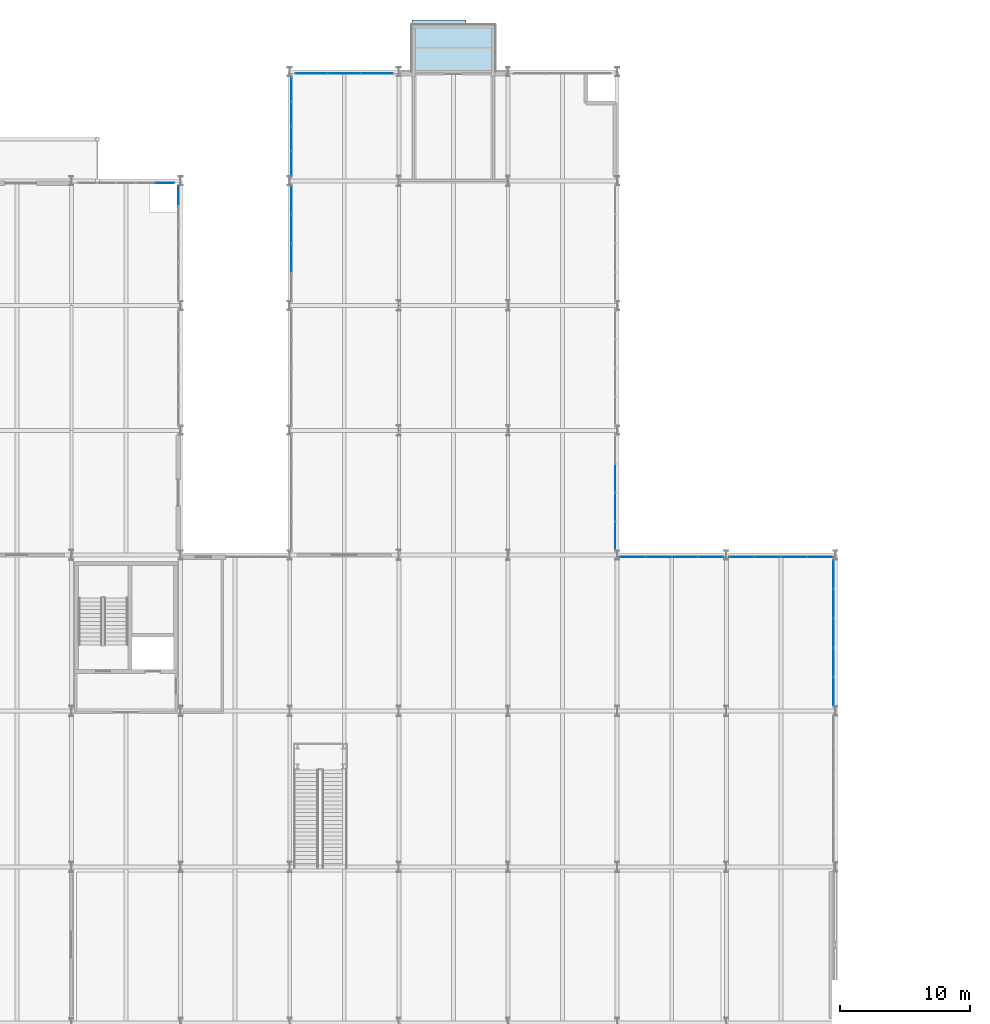
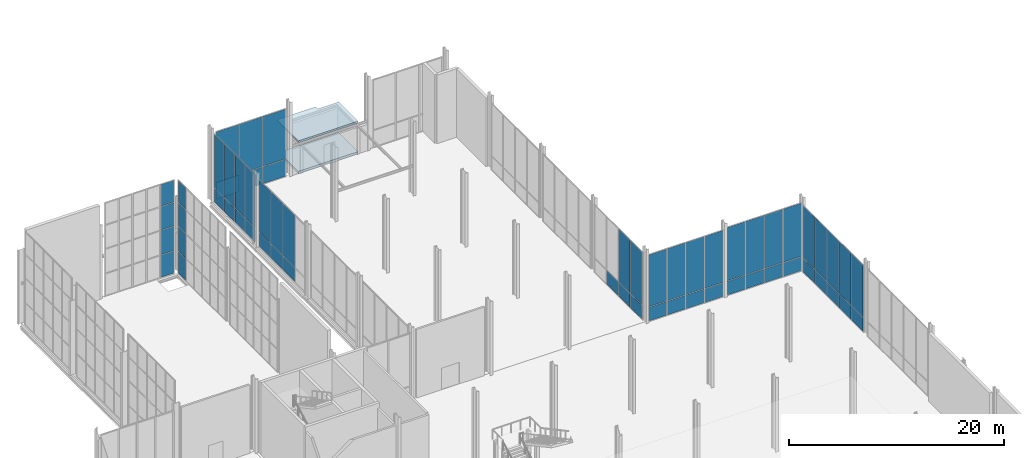
# One storey, part 105 of 131: 59 plates, 2 slabs, 9 elements without a shape of their own.
"""IFC4 building model written with IfcOpenShell, lengths in metres."""

from ifc_helpers import new_model, si_unit, direction, frame, origin, origin_2d, place, context, subcontext, project, spatial, polyline, rectangle, outline, extrude, material, layer, layer_set, type_object, element, aggregate, save


model = new_model("IFC4")

# Units and contexts
model_context = context("Model", 3, precision=1e-05, world=origin(), true_north=direction((0.0, 1.0)))
body_context = subcontext(model_context, "Body", "Model", "MODEL_VIEW")
ifc_project = project(units=[si_unit("LENGTHUNIT", "METRE"), si_unit("AREAUNIT", "SQUARE_METRE"), si_unit("VOLUMEUNIT", "CUBIC_METRE"), si_unit("PLANEANGLEUNIT", "RADIAN"), si_unit("MASSUNIT", "GRAM", prefix="KILO")], contexts=[model_context])

# Site, building, storey
site_placement = place(None, origin())
site = spatial("IfcSite", under=ifc_project, at=site_placement, CompositionType="ELEMENT")
building_placement = place(site_placement, origin())
building = spatial("IfcBuilding", under=site, at=building_placement, Name="Veltarok Museum of Natural Sciences", CompositionType="ELEMENT")
storey_placement = place(building_placement, origin())
storey = spatial("IfcBuildingStorey", under=building, at=storey_placement, Name="L00", CompositionType="ELEMENT", Elevation=0.0)

# Slabs
ifc_material_1 = material(Name="Concrete C35/45", Category="concrete")
ifc_layer_1 = layer(ifc_material_1, 0.199951171875)
ifc_layer_set_1 = layer_set([ifc_layer_1], Name="Concrete C35/45")
slab_type_1 = type_object("IfcSlabType", Name="Cantilevered Cabinet Box Roof Slab 200", PredefinedType="ROOF", material=ifc_layer_set_1)
slab_1_placement = place(storey_placement, frame((0.0, 0.0, 3.25)))
element("IfcSlab", 1, at=slab_1_placement, inside=storey, type_object=slab_type_1, Name="Cabinet Box Roof Slab DB-34", PredefinedType="ROOF", context=body_context, shape_type="SweptSolid", body=[
    extrude(outline(polyline([(66.199951171875, 109.199951171875), (72.60009765625, 109.199951171875), (72.60009765625, 112.800048828125), (70.360107421875, 112.800048828125), (70.360107421875, 113.179931640625), (66.199951171875, 113.179931640625), (66.199951171875, 109.199951171875)])), origin(), (0.0, 0.0, 1.0), 0.199951171875),
])
ifc_layer_2 = layer(ifc_material_1, 0.300048828125)
ifc_layer_set_2 = layer_set([ifc_layer_2], Name="Concrete C35/45")
slab_type_2 = type_object("IfcSlabType", Name="Ground Level Heavy Composite Slab 300", PredefinedType="FLOOR", material=ifc_layer_set_2)
slab_2_placement = place(storey_placement, frame((0.0, 0.0, -0.300048828125)))
element("IfcSlab", 2, at=slab_2_placement, inside=storey, type_object=slab_type_2, Name="Cabinet Box Floor Slab DB-34", PredefinedType="FLOOR", context=body_context, shape_type="SweptSolid", body=[
    extrude(outline(polyline([(66.199951171875, 109.199951171875), (72.60009765625, 109.199951171875), (72.60009765625, 112.800048828125), (66.199951171875, 112.800048828125), (66.199951171875, 109.199951171875)])), origin(), (0.0, 0.0, 1.0), 0.300048828125),
])

# Curtain wall, plates
ifc_material_2 = material(Name="Low-iron triple insulated glass", Category="glass")
curtain_wall_type_1 = type_object("IfcCurtainWallType", Name="Curtain Wall System CW-PAS-N01-750x1065 (North Cafe Curtain Wall L00 750x1065cm)", PredefinedType="NOTDEFINED", material=ifc_material_2)
curtain_wall_1_placement = place(storey_placement, origin())
curtain_wall_1 = element("IfcCurtainWall", 3, at=curtain_wall_1_placement, inside=storey, type_object=curtain_wall_type_1, Name="Curtain Wall CW-PAS-N01-750x1065 CW-0020", PredefinedType="NOTDEFINED")
ifc_layer_3 = layer(ifc_material_2, 0.028076171875)
ifc_layer_set_3 = layer_set([ifc_layer_3], Name="Low-iron triple insulated glass")
plate_type = type_object("IfcPlateType", Name="Triple Low-Iron Glazed Vision Panel 28", PredefinedType="CURTAIN_PANEL", material=ifc_layer_set_3)
plate_1_placement = place(storey_placement, frame((47.18505859375, 100.64990234375, 0.06005859375), z_axis=(0.0, 0.0, 1.0), x_axis=(-1.0, 0.0, 0.0)))
plate_1 = element("IfcPlate", 4, at=plate_1_placement, type_object=plate_type, Name="CW-PAS-N01-750x1065 panel 1.1", PredefinedType="CURTAIN_PANEL", context=body_context, shape_type="SweptSolid", body=[
    extrude(rectangle(XDim=1.409912109375, YDim=0.028076171875, at=origin_2d()), origin(), (0.0, 0.0, 1.0), 2.510009765625),
])
plate_2_placement = place(storey_placement, frame((47.18505859375, 100.64990234375, 2.6298828125), z_axis=(0.0, 0.0, 1.0), x_axis=(-1.0, 0.0, 0.0)))
plate_2 = element("IfcPlate", 5, at=plate_2_placement, type_object=plate_type, Name="CW-PAS-N01-750x1065 panel 1.2", PredefinedType="CURTAIN_PANEL", context=body_context, shape_type="SweptSolid", body=[
    extrude(rectangle(XDim=1.409912109375, YDim=0.028076171875, at=origin_2d()), origin(), (0.0, 0.0, 1.0), 2.739990234375),
])
plate_3_placement = place(storey_placement, frame((47.18505859375, 100.64990234375, 5.43017578125), z_axis=(0.0, 0.0, 1.0), x_axis=(-1.0, 0.0, 0.0)))
plate_3 = element("IfcPlate", 6, at=plate_3_placement, type_object=plate_type, Name="CW-PAS-N01-750x1065 panel 1.3", PredefinedType="CURTAIN_PANEL", context=body_context, shape_type="SweptSolid", body=[
    extrude(rectangle(XDim=1.409912109375, YDim=0.028076171875, at=origin_2d()), origin(), (0.0, 0.0, 1.0), 2.639892578125),
])
plate_4_placement = place(storey_placement, frame((47.18505859375, 100.64990234375, 8.130126953125), z_axis=(0.0, 0.0, 1.0), x_axis=(-1.0, 0.0, 0.0)))
plate_4 = element("IfcPlate", 7, at=plate_4_placement, type_object=plate_type, Name="CW-PAS-N01-750x1065 panel 1.4", PredefinedType="CURTAIN_PANEL", context=body_context, shape_type="SweptSolid", body=[
    extrude(rectangle(XDim=1.409912109375, YDim=0.028076171875, at=origin_2d()), origin(), (0.0, 0.0, 1.0), 2.4599609375),
])
aggregate(curtain_wall_1, [plate_1, plate_2, plate_3, plate_4])

curtain_wall_type_2 = type_object("IfcCurtainWallType", Name="Curtain Wall System CW-PAS-NE-KL-890x1065 (Sculpture Court East Passage K-L 890x1065cm)", PredefinedType="NOTDEFINED", material=ifc_material_2)
curtain_wall_2_placement = place(storey_placement, origin())
curtain_wall_2 = element("IfcCurtainWall", 8, at=curtain_wall_2_placement, inside=storey, type_object=curtain_wall_type_2, Name="Curtain Wall CW-PAS-NE-KL-890x1065 CW-0048", PredefinedType="NOTDEFINED")
plate_5_placement = place(storey_placement, frame((48.25, 99.693359375, 0.06005859375), z_axis=(0.0, 0.0, 1.0), x_axis=(0.0, 1.0, 0.0)))
plate_5 = element("IfcPlate", 9, at=plate_5_placement, type_object=plate_type, Name="CW-PAS-NE-KL-890x1065 panel 6.1", PredefinedType="CURTAIN_PANEL", context=body_context, shape_type="SweptSolid", body=[
    extrude(rectangle(XDim=1.393310546875, YDim=0.028076171875, at=origin_2d()), origin(), (0.0, 0.0, 1.0), 2.510009765625),
])
plate_6_placement = place(storey_placement, frame((48.25, 99.693359375, 2.6298828125), z_axis=(0.0, 0.0, 1.0), x_axis=(0.0, 1.0, 0.0)))
plate_6 = element("IfcPlate", 10, at=plate_6_placement, type_object=plate_type, Name="CW-PAS-NE-KL-890x1065 panel 6.2", PredefinedType="CURTAIN_PANEL", context=body_context, shape_type="SweptSolid", body=[
    extrude(rectangle(XDim=1.393310546875, YDim=0.028076171875, at=origin_2d()), origin(), (0.0, 0.0, 1.0), 2.739990234375),
])
plate_7_placement = place(storey_placement, frame((48.25, 99.693359375, 5.43017578125), z_axis=(0.0, 0.0, 1.0), x_axis=(0.0, 1.0, 0.0)))
plate_7 = element("IfcPlate", 11, at=plate_7_placement, type_object=plate_type, Name="CW-PAS-NE-KL-890x1065 panel 6.3", PredefinedType="CURTAIN_PANEL", context=body_context, shape_type="SweptSolid", body=[
    extrude(rectangle(XDim=1.393310546875, YDim=0.028076171875, at=origin_2d()), origin(), (0.0, 0.0, 1.0), 2.639892578125),
])
plate_8_placement = place(storey_placement, frame((48.25, 99.693359375, 8.130126953125), z_axis=(0.0, 0.0, 1.0), x_axis=(0.0, 1.0, 0.0)))
plate_8 = element("IfcPlate", 12, at=plate_8_placement, type_object=plate_type, Name="CW-PAS-NE-KL-890x1065 panel 6.4", PredefinedType="CURTAIN_PANEL", context=body_context, shape_type="SweptSolid", body=[
    extrude(rectangle(XDim=1.393310546875, YDim=0.028076171875, at=origin_2d()), origin(), (0.0, 0.0, 1.0), 2.4599609375),
])
aggregate(curtain_wall_2, [plate_5, plate_6, plate_7, plate_8])

curtain_wall_type_3 = type_object("IfcCurtainWallType", Name="Curtain Wall System CW-V2NP-L00-7-756x775 (North Pavilion L00 7-8 756x775cm)", PredefinedType="NOTDEFINED", material=ifc_material_2)
curtain_wall_3_placement = place(storey_placement, origin())
curtain_wall_3 = element("IfcCurtainWall", 13, at=curtain_wall_3_placement, inside=storey, type_object=curtain_wall_type_3, Name="Curtain Wall CW-V2NP-L00-7-756x775 CW-0067", PredefinedType="NOTDEFINED")
plate_9_placement = place(storey_placement, frame((63.5048828125, 109.050048828125, 0.06005859375), z_axis=(0.0, 0.0, 1.0), x_axis=(-1.0, 0.0, 0.0)))
plate_9 = element("IfcPlate", 14, at=plate_9_placement, type_object=plate_type, Name="CW-V2NP-L00-7-756x775 panel 1.1", PredefinedType="CURTAIN_PANEL", context=body_context, shape_type="SweptSolid", body=[
    extrude(rectangle(XDim=2.429931640625, YDim=0.028076171875, at=origin_2d()), origin(), (0.0, 0.0, 1.0), 1.909912109375),
])
plate_10_placement = place(storey_placement, frame((63.5048828125, 109.050048828125, 2.0302734375), z_axis=(0.0, 0.0, 1.0), x_axis=(-1.0, 0.0, 0.0)))
plate_10 = element("IfcPlate", 15, at=plate_10_placement, type_object=plate_type, Name="CW-V2NP-L00-7-756x775 panel 1.2", PredefinedType="CURTAIN_PANEL", context=body_context, shape_type="SweptSolid", body=[
    extrude(rectangle(XDim=2.429931640625, YDim=0.028076171875, at=origin_2d()), origin(), (0.0, 0.0, 1.0), 5.659912109375),
])
plate_11_placement = place(storey_placement, frame((61.0, 109.050048828125, 0.06005859375), z_axis=(0.0, 0.0, 1.0), x_axis=(-1.0, 0.0, 0.0)))
plate_11 = element("IfcPlate", 16, at=plate_11_placement, type_object=plate_type, Name="CW-V2NP-L00-7-756x775 panel 2.1", PredefinedType="CURTAIN_PANEL", context=body_context, shape_type="SweptSolid", body=[
    extrude(rectangle(XDim=2.4599609375, YDim=0.028076171875, at=origin_2d()), origin(), (0.0, 0.0, 1.0), 1.909912109375),
])
plate_12_placement = place(storey_placement, frame((61.0, 109.050048828125, 2.0302734375), z_axis=(0.0, 0.0, 1.0), x_axis=(-1.0, 0.0, 0.0)))
plate_12 = element("IfcPlate", 17, at=plate_12_placement, type_object=plate_type, Name="CW-V2NP-L00-7-756x775 panel 2.2", PredefinedType="CURTAIN_PANEL", context=body_context, shape_type="SweptSolid", body=[
    extrude(rectangle(XDim=2.4599609375, YDim=0.028076171875, at=origin_2d()), origin(), (0.0, 0.0, 1.0), 5.659912109375),
])
plate_13_placement = place(storey_placement, frame((58.4951171875, 109.050048828125, 0.06005859375), z_axis=(0.0, 0.0, 1.0), x_axis=(-1.0, 0.0, 0.0)))
plate_13 = element("IfcPlate", 18, at=plate_13_placement, type_object=plate_type, Name="CW-V2NP-L00-7-756x775 panel 3.1", PredefinedType="CURTAIN_PANEL", context=body_context, shape_type="SweptSolid", body=[
    extrude(rectangle(XDim=2.429931640625, YDim=0.028076171875, at=origin_2d()), origin(), (0.0, 0.0, 1.0), 1.909912109375),
])
plate_14_placement = place(storey_placement, frame((58.4951171875, 109.050048828125, 2.0302734375), z_axis=(0.0, 0.0, 1.0), x_axis=(-1.0, 0.0, 0.0)))
plate_14 = element("IfcPlate", 19, at=plate_14_placement, type_object=plate_type, Name="CW-V2NP-L00-7-756x775 panel 3.2", PredefinedType="CURTAIN_PANEL", context=body_context, shape_type="SweptSolid", body=[
    extrude(rectangle(XDim=2.429931640625, YDim=0.028076171875, at=origin_2d()), origin(), (0.0, 0.0, 1.0), 5.659912109375),
])
aggregate(curtain_wall_3, [plate_9, plate_10, plate_11, plate_12, plate_13, plate_14])

curtain_wall_type_4 = type_object("IfcCurtainWallType", Name="Curtain Wall System CW-V2E-L00-3-1130x763 (CW-V2E L00 1130x763cm)", PredefinedType="NOTDEFINED", material=ifc_material_2)
curtain_wall_4_placement = place(storey_placement, origin())
curtain_wall_4 = element("IfcCurtainWall", 20, at=curtain_wall_4_placement, inside=storey, type_object=curtain_wall_type_4, Name="Curtain Wall CW-V2E-L00-3-1130x763 CW-0127", PredefinedType="NOTDEFINED")
plate_15_placement = place(storey_placement, frame((98.64990234375, 61.4951171875, 0.057861328125), z_axis=(0.0, 0.0, 1.0), x_axis=(0.0, 1.0, 0.0)))
plate_15 = element("IfcPlate", 21, at=plate_15_placement, type_object=plate_type, Name="CW-V2E-L00-3-1130x763 panel 1.1", PredefinedType="CURTAIN_PANEL", context=body_context, shape_type="SweptSolid", body=[
    extrude(rectangle(XDim=2.169921875, YDim=0.028076171875, at=origin_2d()), origin(), (0.0, 0.0, 1.0), 1.56005859375),
])
plate_16_placement = place(storey_placement, frame((98.64990234375, 61.4951171875, 1.677978515625), z_axis=(0.0, 0.0, 1.0), x_axis=(0.0, 1.0, 0.0)))
plate_16 = element("IfcPlate", 22, at=plate_16_placement, type_object=plate_type, Name="CW-V2E-L00-3-1130x763 panel 1.2", PredefinedType="CURTAIN_PANEL", context=body_context, shape_type="SweptSolid", body=[
    extrude(rectangle(XDim=2.169921875, YDim=0.028076171875, at=origin_2d()), origin(), (0.0, 0.0, 1.0), 5.89208984375),
])
plate_17_placement = place(storey_placement, frame((98.64990234375, 63.739990234375, 0.057861328125), z_axis=(0.0, 0.0, 1.0), x_axis=(0.0, 1.0, 0.0)))
plate_17 = element("IfcPlate", 23, at=plate_17_placement, type_object=plate_type, Name="CW-V2E-L00-3-1130x763 panel 2.1", PredefinedType="CURTAIN_PANEL", context=body_context, shape_type="SweptSolid", body=[
    extrude(rectangle(XDim=2.199951171875, YDim=0.028076171875, at=origin_2d()), origin(), (0.0, 0.0, 1.0), 1.56005859375),
])
plate_18_placement = place(storey_placement, frame((98.64990234375, 63.739990234375, 1.677978515625), z_axis=(0.0, 0.0, 1.0), x_axis=(0.0, 1.0, 0.0)))
plate_18 = element("IfcPlate", 24, at=plate_18_placement, type_object=plate_type, Name="CW-V2E-L00-3-1130x763 panel 2.2", PredefinedType="CURTAIN_PANEL", context=body_context, shape_type="SweptSolid", body=[
    extrude(rectangle(XDim=2.199951171875, YDim=0.028076171875, at=origin_2d()), origin(), (0.0, 0.0, 1.0), 5.89208984375),
])
plate_19_placement = place(storey_placement, frame((98.64990234375, 66.0, 0.057861328125), z_axis=(0.0, 0.0, 1.0), x_axis=(0.0, 1.0, 0.0)))
plate_19 = element("IfcPlate", 25, at=plate_19_placement, type_object=plate_type, Name="CW-V2E-L00-3-1130x763 panel 3.1", PredefinedType="CURTAIN_PANEL", context=body_context, shape_type="SweptSolid", body=[
    extrude(rectangle(XDim=2.199951171875, YDim=0.028076171875, at=origin_2d()), origin(), (0.0, 0.0, 1.0), 1.56005859375),
])
plate_20_placement = place(storey_placement, frame((98.64990234375, 66.0, 1.677978515625), z_axis=(0.0, 0.0, 1.0), x_axis=(0.0, 1.0, 0.0)))
plate_20 = element("IfcPlate", 26, at=plate_20_placement, type_object=plate_type, Name="CW-V2E-L00-3-1130x763 panel 3.2", PredefinedType="CURTAIN_PANEL", context=body_context, shape_type="SweptSolid", body=[
    extrude(rectangle(XDim=2.199951171875, YDim=0.028076171875, at=origin_2d()), origin(), (0.0, 0.0, 1.0), 5.89208984375),
])
plate_21_placement = place(storey_placement, frame((98.64990234375, 68.260009765625, 0.057861328125), z_axis=(0.0, 0.0, 1.0), x_axis=(0.0, 1.0, 0.0)))
plate_21 = element("IfcPlate", 27, at=plate_21_placement, type_object=plate_type, Name="CW-V2E-L00-3-1130x763 panel 4.1", PredefinedType="CURTAIN_PANEL", context=body_context, shape_type="SweptSolid", body=[
    extrude(rectangle(XDim=2.199951171875, YDim=0.028076171875, at=origin_2d()), origin(), (0.0, 0.0, 1.0), 1.56005859375),
])
plate_22_placement = place(storey_placement, frame((98.64990234375, 68.260009765625, 1.677978515625), z_axis=(0.0, 0.0, 1.0), x_axis=(0.0, 1.0, 0.0)))
plate_22 = element("IfcPlate", 28, at=plate_22_placement, type_object=plate_type, Name="CW-V2E-L00-3-1130x763 panel 4.2", PredefinedType="CURTAIN_PANEL", context=body_context, shape_type="SweptSolid", body=[
    extrude(rectangle(XDim=2.199951171875, YDim=0.028076171875, at=origin_2d()), origin(), (0.0, 0.0, 1.0), 5.89208984375),
])
plate_23_placement = place(storey_placement, frame((98.64990234375, 70.5048828125, 0.057861328125), z_axis=(0.0, 0.0, 1.0), x_axis=(0.0, 1.0, 0.0)))
plate_23 = element("IfcPlate", 29, at=plate_23_placement, type_object=plate_type, Name="CW-V2E-L00-3-1130x763 panel 5.1", PredefinedType="CURTAIN_PANEL", context=body_context, shape_type="SweptSolid", body=[
    extrude(rectangle(XDim=2.169921875, YDim=0.028076171875, at=origin_2d()), origin(), (0.0, 0.0, 1.0), 1.56005859375),
])
plate_24_placement = place(storey_placement, frame((98.64990234375, 70.5048828125, 1.677978515625), z_axis=(0.0, 0.0, 1.0), x_axis=(0.0, 1.0, 0.0)))
plate_24 = element("IfcPlate", 30, at=plate_24_placement, type_object=plate_type, Name="CW-V2E-L00-3-1130x763 panel 5.2", PredefinedType="CURTAIN_PANEL", context=body_context, shape_type="SweptSolid", body=[
    extrude(rectangle(XDim=2.169921875, YDim=0.028076171875, at=origin_2d()), origin(), (0.0, 0.0, 1.0), 5.89208984375),
])
aggregate(curtain_wall_4, [plate_15, plate_16, plate_17, plate_18, plate_19, plate_20, plate_21, plate_22, plate_23, plate_24])

curtain_wall_type_5 = type_object("IfcCurtainWallType", Name="Curtain Wall System CW-V2NH-L00-3-810x763 (CW-V2NH L00 810x763cm)", PredefinedType="NOTDEFINED", material=ifc_material_2)
curtain_wall_5_placement = place(storey_placement, origin())
curtain_wall_5 = element("IfcCurtainWall", 31, at=curtain_wall_5_placement, inside=storey, type_object=curtain_wall_type_5, Name="Curtain Wall CW-V2NH-L00-3-810x763 CW-0151", PredefinedType="NOTDEFINED")
plate_25_placement = place(storey_placement, frame((89.222412109375, 71.85009765625, 0.057861328125), z_axis=(0.0, 0.0, 1.0), x_axis=(-1.0, 0.0, 0.0)))
plate_25 = element("IfcPlate", 32, at=plate_25_placement, type_object=plate_type, Name="CW-V2NH-L00-3-810x763 panel 1.1", PredefinedType="CURTAIN_PANEL", context=body_context, shape_type="SweptSolid", body=[
    extrude(rectangle(XDim=1.93505859375, YDim=0.028076171875, at=origin_2d()), origin(), (0.0, 0.0, 1.0), 1.56005859375),
])
plate_26_placement = place(storey_placement, frame((89.222412109375, 71.85009765625, 1.677978515625), z_axis=(0.0, 0.0, 1.0), x_axis=(-1.0, 0.0, 0.0)))
plate_26 = element("IfcPlate", 33, at=plate_26_placement, type_object=plate_type, Name="CW-V2NH-L00-3-810x763 panel 1.2", PredefinedType="CURTAIN_PANEL", context=body_context, shape_type="SweptSolid", body=[
    extrude(rectangle(XDim=1.93505859375, YDim=0.028076171875, at=origin_2d()), origin(), (0.0, 0.0, 1.0), 5.89208984375),
])
plate_27_placement = place(storey_placement, frame((87.21240234375, 71.85009765625, 0.057861328125), z_axis=(0.0, 0.0, 1.0), x_axis=(-1.0, 0.0, 0.0)))
plate_27 = element("IfcPlate", 34, at=plate_27_placement, type_object=plate_type, Name="CW-V2NH-L00-3-810x763 panel 2.1", PredefinedType="CURTAIN_PANEL", context=body_context, shape_type="SweptSolid", body=[
    extrude(rectangle(XDim=1.965087890625, YDim=0.028076171875, at=origin_2d()), origin(), (0.0, 0.0, 1.0), 1.56005859375),
])
plate_28_placement = place(storey_placement, frame((87.21240234375, 71.85009765625, 1.677978515625), z_axis=(0.0, 0.0, 1.0), x_axis=(-1.0, 0.0, 0.0)))
plate_28 = element("IfcPlate", 35, at=plate_28_placement, type_object=plate_type, Name="CW-V2NH-L00-3-810x763 panel 2.2", PredefinedType="CURTAIN_PANEL", context=body_context, shape_type="SweptSolid", body=[
    extrude(rectangle(XDim=1.965087890625, YDim=0.028076171875, at=origin_2d()), origin(), (0.0, 0.0, 1.0), 5.89208984375),
])
plate_29_placement = place(storey_placement, frame((85.1875, 71.85009765625, 0.057861328125), z_axis=(0.0, 0.0, 1.0), x_axis=(-1.0, 0.0, 0.0)))
plate_29 = element("IfcPlate", 36, at=plate_29_placement, type_object=plate_type, Name="CW-V2NH-L00-3-810x763 panel 3.1", PredefinedType="CURTAIN_PANEL", context=body_context, shape_type="SweptSolid", body=[
    extrude(rectangle(XDim=1.965087890625, YDim=0.028076171875, at=origin_2d()), origin(), (0.0, 0.0, 1.0), 1.56005859375),
])
plate_30_placement = place(storey_placement, frame((85.1875, 71.85009765625, 1.677978515625), z_axis=(0.0, 0.0, 1.0), x_axis=(-1.0, 0.0, 0.0)))
plate_30 = element("IfcPlate", 37, at=plate_30_placement, type_object=plate_type, Name="CW-V2NH-L00-3-810x763 panel 3.2", PredefinedType="CURTAIN_PANEL", context=body_context, shape_type="SweptSolid", body=[
    extrude(rectangle(XDim=1.965087890625, YDim=0.028076171875, at=origin_2d()), origin(), (0.0, 0.0, 1.0), 5.89208984375),
])
plate_31_placement = place(storey_placement, frame((83.177490234375, 71.85009765625, 0.057861328125), z_axis=(0.0, 0.0, 1.0), x_axis=(-1.0, 0.0, 0.0)))
plate_31 = element("IfcPlate", 38, at=plate_31_placement, type_object=plate_type, Name="CW-V2NH-L00-3-810x763 panel 4.1", PredefinedType="CURTAIN_PANEL", context=body_context, shape_type="SweptSolid", body=[
    extrude(rectangle(XDim=1.93505859375, YDim=0.028076171875, at=origin_2d()), origin(), (0.0, 0.0, 1.0), 1.56005859375),
])
plate_32_placement = place(storey_placement, frame((83.177490234375, 71.85009765625, 1.677978515625), z_axis=(0.0, 0.0, 1.0), x_axis=(-1.0, 0.0, 0.0)))
plate_32 = element("IfcPlate", 39, at=plate_32_placement, type_object=plate_type, Name="CW-V2NH-L00-3-810x763 panel 4.2", PredefinedType="CURTAIN_PANEL", context=body_context, shape_type="SweptSolid", body=[
    extrude(rectangle(XDim=1.93505859375, YDim=0.028076171875, at=origin_2d()), origin(), (0.0, 0.0, 1.0), 5.89208984375),
])
aggregate(curtain_wall_5, [plate_25, plate_26, plate_27, plate_28, plate_29, plate_30, plate_31, plate_32])

curtain_wall_type_6 = type_object("IfcCurtainWallType", Name="Curtain Wall System CW-V2NH-L00-0-810x778 (CW-V2NH L00 810x778cm)", PredefinedType="NOTDEFINED", material=ifc_material_2)
curtain_wall_6_placement = place(storey_placement, origin())
curtain_wall_6 = element("IfcCurtainWall", 40, at=curtain_wall_6_placement, inside=storey, type_object=curtain_wall_type_6, Name="Curtain Wall CW-V2NH-L00-0-810x778 CW-0152", PredefinedType="NOTDEFINED")
plate_33_placement = place(storey_placement, frame((97.62255859375, 71.85009765625, 0.057861328125), z_axis=(0.0, 0.0, 1.0), x_axis=(-1.0, 0.0, 0.0)))
plate_33 = element("IfcPlate", 41, at=plate_33_placement, type_object=plate_type, Name="CW-V2NH-L00-0-810x778 panel 1.1", PredefinedType="CURTAIN_PANEL", context=body_context, shape_type="SweptSolid", body=[
    extrude(rectangle(XDim=1.93505859375, YDim=0.028076171875, at=origin_2d()), origin(), (0.0, 0.0, 1.0), 1.56005859375),
])
plate_34_placement = place(storey_placement, frame((97.62255859375, 71.85009765625, 1.677978515625), z_axis=(0.0, 0.0, 1.0), x_axis=(-1.0, 0.0, 0.0)))
plate_34 = element("IfcPlate", 42, at=plate_34_placement, type_object=plate_type, Name="CW-V2NH-L00-0-810x778 panel 1.2", PredefinedType="CURTAIN_PANEL", context=body_context, shape_type="SweptSolid", body=[
    extrude(rectangle(XDim=1.93505859375, YDim=0.028076171875, at=origin_2d()), origin(), (0.0, 0.0, 1.0), 6.0419921875),
])
plate_35_placement = place(storey_placement, frame((95.612548828125, 71.85009765625, 0.057861328125), z_axis=(0.0, 0.0, 1.0), x_axis=(-1.0, 0.0, 0.0)))
plate_35 = element("IfcPlate", 43, at=plate_35_placement, type_object=plate_type, Name="CW-V2NH-L00-0-810x778 panel 2.1", PredefinedType="CURTAIN_PANEL", context=body_context, shape_type="SweptSolid", body=[
    extrude(rectangle(XDim=1.965087890625, YDim=0.028076171875, at=origin_2d()), origin(), (0.0, 0.0, 1.0), 1.56005859375),
])
plate_36_placement = place(storey_placement, frame((95.612548828125, 71.85009765625, 1.677978515625), z_axis=(0.0, 0.0, 1.0), x_axis=(-1.0, 0.0, 0.0)))
plate_36 = element("IfcPlate", 44, at=plate_36_placement, type_object=plate_type, Name="CW-V2NH-L00-0-810x778 panel 2.2", PredefinedType="CURTAIN_PANEL", context=body_context, shape_type="SweptSolid", body=[
    extrude(rectangle(XDim=1.965087890625, YDim=0.028076171875, at=origin_2d()), origin(), (0.0, 0.0, 1.0), 6.0419921875),
])
plate_37_placement = place(storey_placement, frame((93.58740234375, 71.85009765625, 0.057861328125), z_axis=(0.0, 0.0, 1.0), x_axis=(-1.0, 0.0, 0.0)))
plate_37 = element("IfcPlate", 45, at=plate_37_placement, type_object=plate_type, Name="CW-V2NH-L00-0-810x778 panel 3.1", PredefinedType="CURTAIN_PANEL", context=body_context, shape_type="SweptSolid", body=[
    extrude(rectangle(XDim=1.965087890625, YDim=0.028076171875, at=origin_2d()), origin(), (0.0, 0.0, 1.0), 1.56005859375),
])
plate_38_placement = place(storey_placement, frame((93.58740234375, 71.85009765625, 1.677978515625), z_axis=(0.0, 0.0, 1.0), x_axis=(-1.0, 0.0, 0.0)))
plate_38 = element("IfcPlate", 46, at=plate_38_placement, type_object=plate_type, Name="CW-V2NH-L00-0-810x778 panel 3.2", PredefinedType="CURTAIN_PANEL", context=body_context, shape_type="SweptSolid", body=[
    extrude(rectangle(XDim=1.965087890625, YDim=0.028076171875, at=origin_2d()), origin(), (0.0, 0.0, 1.0), 6.0419921875),
])
plate_39_placement = place(storey_placement, frame((91.577392578125, 71.85009765625, 0.057861328125), z_axis=(0.0, 0.0, 1.0), x_axis=(-1.0, 0.0, 0.0)))
plate_39 = element("IfcPlate", 47, at=plate_39_placement, type_object=plate_type, Name="CW-V2NH-L00-0-810x778 panel 4.1", PredefinedType="CURTAIN_PANEL", context=body_context, shape_type="SweptSolid", body=[
    extrude(rectangle(XDim=1.93505859375, YDim=0.028076171875, at=origin_2d()), origin(), (0.0, 0.0, 1.0), 1.56005859375),
])
plate_40_placement = place(storey_placement, frame((91.577392578125, 71.85009765625, 1.677978515625), z_axis=(0.0, 0.0, 1.0), x_axis=(-1.0, 0.0, 0.0)))
plate_40 = element("IfcPlate", 48, at=plate_40_placement, type_object=plate_type, Name="CW-V2NH-L00-0-810x778 panel 4.2", PredefinedType="CURTAIN_PANEL", context=body_context, shape_type="SweptSolid", body=[
    extrude(rectangle(XDim=1.93505859375, YDim=0.028076171875, at=origin_2d()), origin(), (0.0, 0.0, 1.0), 6.0419921875),
])
aggregate(curtain_wall_6, [plate_33, plate_34, plate_35, plate_36, plate_37, plate_38, plate_39, plate_40])

curtain_wall_type_7 = type_object("IfcCurtainWallType", Name="Curtain Wall System CW-V2NPW-L00-3-890x763 (CW-V2NPW L00 890x763cm)", PredefinedType="NOTDEFINED", material=ifc_material_2)
curtain_wall_7_placement = place(storey_placement, origin())
curtain_wall_7 = element("IfcCurtainWall", 49, at=curtain_wall_7_placement, inside=storey, type_object=curtain_wall_type_7, Name="Curtain Wall CW-V2NPW-L00-3-890x763 CW-0215", PredefinedType="NOTDEFINED")
plate_41_placement = place(storey_placement, frame((56.949951171875, 94.887451171875, 0.057861328125), z_axis=(0.0, 0.0, 1.0), x_axis=(0.0, 1.0, 0.0)))
plate_41 = element("IfcPlate", 50, at=plate_41_placement, type_object=plate_type, Name="CW-V2NPW-L00-3-890x763 panel 2.1", PredefinedType="CURTAIN_PANEL", context=body_context, shape_type="SweptSolid", body=[
    extrude(rectangle(XDim=2.1650390625, YDim=0.028076171875, at=origin_2d()), origin(), (0.0, 0.0, 1.0), 1.56005859375),
])
plate_42_placement = place(storey_placement, frame((56.949951171875, 94.887451171875, 1.677978515625), z_axis=(0.0, 0.0, 1.0), x_axis=(0.0, 1.0, 0.0)))
plate_42 = element("IfcPlate", 51, at=plate_42_placement, type_object=plate_type, Name="CW-V2NPW-L00-3-890x763 panel 2.2", PredefinedType="CURTAIN_PANEL", context=body_context, shape_type="SweptSolid", body=[
    extrude(rectangle(XDim=2.1650390625, YDim=0.028076171875, at=origin_2d()), origin(), (0.0, 0.0, 1.0), 5.89208984375),
])
plate_43_placement = place(storey_placement, frame((56.949951171875, 97.112548828125, 0.057861328125), z_axis=(0.0, 0.0, 1.0), x_axis=(0.0, 1.0, 0.0)))
plate_43 = element("IfcPlate", 52, at=plate_43_placement, type_object=plate_type, Name="CW-V2NPW-L00-3-890x763 panel 3.1", PredefinedType="CURTAIN_PANEL", context=body_context, shape_type="SweptSolid", body=[
    extrude(rectangle(XDim=2.1650390625, YDim=0.028076171875, at=origin_2d()), origin(), (0.0, 0.0, 1.0), 1.56005859375),
])
plate_44_placement = place(storey_placement, frame((56.949951171875, 97.112548828125, 1.677978515625), z_axis=(0.0, 0.0, 1.0), x_axis=(0.0, 1.0, 0.0)))
plate_44 = element("IfcPlate", 53, at=plate_44_placement, type_object=plate_type, Name="CW-V2NPW-L00-3-890x763 panel 3.2", PredefinedType="CURTAIN_PANEL", context=body_context, shape_type="SweptSolid", body=[
    extrude(rectangle(XDim=2.1650390625, YDim=0.028076171875, at=origin_2d()), origin(), (0.0, 0.0, 1.0), 5.89208984375),
])
plate_45_placement = place(storey_placement, frame((56.949951171875, 99.322509765625, 0.057861328125), z_axis=(0.0, 0.0, 1.0), x_axis=(0.0, 1.0, 0.0)))
plate_45 = element("IfcPlate", 54, at=plate_45_placement, type_object=plate_type, Name="CW-V2NPW-L00-3-890x763 panel 4.1", PredefinedType="CURTAIN_PANEL", context=body_context, shape_type="SweptSolid", body=[
    extrude(rectangle(XDim=2.135009765625, YDim=0.028076171875, at=origin_2d()), origin(), (0.0, 0.0, 1.0), 1.56005859375),
])
plate_46_placement = place(storey_placement, frame((56.949951171875, 99.322509765625, 1.677978515625), z_axis=(0.0, 0.0, 1.0), x_axis=(0.0, 1.0, 0.0)))
plate_46 = element("IfcPlate", 55, at=plate_46_placement, type_object=plate_type, Name="CW-V2NPW-L00-3-890x763 panel 4.2", PredefinedType="CURTAIN_PANEL", context=body_context, shape_type="SweptSolid", body=[
    extrude(rectangle(XDim=2.135009765625, YDim=0.028076171875, at=origin_2d()), origin(), (0.0, 0.0, 1.0), 5.89208984375),
])
aggregate(curtain_wall_7, [plate_41, plate_42, plate_43, plate_44, plate_45, plate_46])

curtain_wall_type_8 = type_object("IfcCurtainWallType", Name="Curtain Wall System CW-V2NPW-L00-0-770x778 (CW-V2NPW L00 770x778cm)", PredefinedType="NOTDEFINED", material=ifc_material_2)
curtain_wall_8_placement = place(storey_placement, origin())
curtain_wall_8 = element("IfcCurtainWall", 56, at=curtain_wall_8_placement, inside=storey, type_object=curtain_wall_type_8, Name="Curtain Wall CW-V2NPW-L00-0-770x778 CW-0216", PredefinedType="NOTDEFINED")
plate_47_placement = place(storey_placement, frame((56.949951171875, 102.12744140625, 0.057861328125), z_axis=(0.0, 0.0, 1.0), x_axis=(0.0, 1.0, 0.0)))
plate_47 = element("IfcPlate", 57, at=plate_47_placement, type_object=plate_type, Name="CW-V2NPW-L00-0-770x778 panel 1.1", PredefinedType="CURTAIN_PANEL", context=body_context, shape_type="SweptSolid", body=[
    extrude(rectangle(XDim=1.8349609375, YDim=0.028076171875, at=origin_2d()), origin(), (0.0, 0.0, 1.0), 1.56005859375),
])
plate_48_placement = place(storey_placement, frame((56.949951171875, 102.12744140625, 1.677978515625), z_axis=(0.0, 0.0, 1.0), x_axis=(0.0, 1.0, 0.0)))
plate_48 = element("IfcPlate", 58, at=plate_48_placement, type_object=plate_type, Name="CW-V2NPW-L00-0-770x778 panel 1.2", PredefinedType="CURTAIN_PANEL", context=body_context, shape_type="SweptSolid", body=[
    extrude(rectangle(XDim=1.8349609375, YDim=0.028076171875, at=origin_2d()), origin(), (0.0, 0.0, 1.0), 6.0419921875),
])
plate_49_placement = place(storey_placement, frame((56.949951171875, 104.03759765625, 0.057861328125), z_axis=(0.0, 0.0, 1.0), x_axis=(0.0, 1.0, 0.0)))
plate_49 = element("IfcPlate", 59, at=plate_49_placement, type_object=plate_type, Name="CW-V2NPW-L00-0-770x778 panel 2.1", PredefinedType="CURTAIN_PANEL", context=body_context, shape_type="SweptSolid", body=[
    extrude(rectangle(XDim=1.864990234375, YDim=0.028076171875, at=origin_2d()), origin(), (0.0, 0.0, 1.0), 1.56005859375),
])
plate_50_placement = place(storey_placement, frame((56.949951171875, 104.03759765625, 1.677978515625), z_axis=(0.0, 0.0, 1.0), x_axis=(0.0, 1.0, 0.0)))
plate_50 = element("IfcPlate", 60, at=plate_50_placement, type_object=plate_type, Name="CW-V2NPW-L00-0-770x778 panel 2.2", PredefinedType="CURTAIN_PANEL", context=body_context, shape_type="SweptSolid", body=[
    extrude(rectangle(XDim=1.864990234375, YDim=0.028076171875, at=origin_2d()), origin(), (0.0, 0.0, 1.0), 6.0419921875),
])
plate_51_placement = place(storey_placement, frame((56.949951171875, 105.96240234375, 0.057861328125), z_axis=(0.0, 0.0, 1.0), x_axis=(0.0, 1.0, 0.0)))
plate_51 = element("IfcPlate", 61, at=plate_51_placement, type_object=plate_type, Name="CW-V2NPW-L00-0-770x778 panel 3.1", PredefinedType="CURTAIN_PANEL", context=body_context, shape_type="SweptSolid", body=[
    extrude(rectangle(XDim=1.864990234375, YDim=0.028076171875, at=origin_2d()), origin(), (0.0, 0.0, 1.0), 1.56005859375),
])
plate_52_placement = place(storey_placement, frame((56.949951171875, 105.96240234375, 1.677978515625), z_axis=(0.0, 0.0, 1.0), x_axis=(0.0, 1.0, 0.0)))
plate_52 = element("IfcPlate", 62, at=plate_52_placement, type_object=plate_type, Name="CW-V2NPW-L00-0-770x778 panel 3.2", PredefinedType="CURTAIN_PANEL", context=body_context, shape_type="SweptSolid", body=[
    extrude(rectangle(XDim=1.864990234375, YDim=0.028076171875, at=origin_2d()), origin(), (0.0, 0.0, 1.0), 6.0419921875),
])
plate_53_placement = place(storey_placement, frame((56.949951171875, 107.87255859375, 0.057861328125), z_axis=(0.0, 0.0, 1.0), x_axis=(0.0, 1.0, 0.0)))
plate_53 = element("IfcPlate", 63, at=plate_53_placement, type_object=plate_type, Name="CW-V2NPW-L00-0-770x778 panel 4.1", PredefinedType="CURTAIN_PANEL", context=body_context, shape_type="SweptSolid", body=[
    extrude(rectangle(XDim=1.8349609375, YDim=0.028076171875, at=origin_2d()), origin(), (0.0, 0.0, 1.0), 1.56005859375),
])
plate_54_placement = place(storey_placement, frame((56.949951171875, 107.87255859375, 1.677978515625), z_axis=(0.0, 0.0, 1.0), x_axis=(0.0, 1.0, 0.0)))
plate_54 = element("IfcPlate", 64, at=plate_54_placement, type_object=plate_type, Name="CW-V2NPW-L00-0-770x778 panel 4.2", PredefinedType="CURTAIN_PANEL", context=body_context, shape_type="SweptSolid", body=[
    extrude(rectangle(XDim=1.8349609375, YDim=0.028076171875, at=origin_2d()), origin(), (0.0, 0.0, 1.0), 6.0419921875),
])
aggregate(curtain_wall_8, [plate_47, plate_48, plate_49, plate_50, plate_51, plate_52, plate_53, plate_54])

curtain_wall_type_9 = type_object("IfcCurtainWallType", Name="Curtain Wall System CW-V2NPE-L00-1-890x773 (CW-V2NPE L00 890x773cm)", PredefinedType="NOTDEFINED", material=ifc_material_2)
curtain_wall_9_placement = place(storey_placement, origin())
curtain_wall_9 = element("IfcCurtainWall", 65, at=curtain_wall_9_placement, inside=storey, type_object=curtain_wall_type_9, Name="Curtain Wall CW-V2NPE-L00-1-890x773 CW-0217", PredefinedType="NOTDEFINED")
plate_55_placement = place(storey_placement, frame((81.85009765625, 73.4775390625, 0.057861328125), z_axis=(0.0, 0.0, 1.0), x_axis=(0.0, 1.0, 0.0)))
plate_55 = element("IfcPlate", 66, at=plate_55_placement, type_object=plate_type, Name="CW-V2NPE-L00-1-890x773 panel 1.1", PredefinedType="CURTAIN_PANEL", context=body_context, shape_type="SweptSolid", body=[
    extrude(rectangle(XDim=2.135009765625, YDim=0.028076171875, at=origin_2d()), origin(), (0.0, 0.0, 1.0), 1.56005859375),
])
plate_56_placement = place(storey_placement, frame((81.85009765625, 73.4775390625, 1.67822265625), z_axis=(0.0, 0.0, 1.0), x_axis=(0.0, 1.0, 0.0)))
plate_56 = element("IfcPlate", 67, at=plate_56_placement, type_object=plate_type, Name="CW-V2NPE-L00-1-890x773 panel 1.2", PredefinedType="CURTAIN_PANEL", context=body_context, shape_type="SweptSolid", body=[
    extrude(rectangle(XDim=2.135009765625, YDim=0.028076171875, at=origin_2d()), origin(), (0.0, 0.0, 1.0), 5.991943359375),
])
plate_57_placement = place(storey_placement, frame((81.85009765625, 75.6875, 0.057861328125), z_axis=(0.0, 0.0, 1.0), x_axis=(0.0, 1.0, 0.0)))
plate_57 = element("IfcPlate", 68, at=plate_57_placement, type_object=plate_type, Name="CW-V2NPE-L00-1-890x773 panel 2.1", PredefinedType="CURTAIN_PANEL", context=body_context, shape_type="SweptSolid", body=[
    extrude(rectangle(XDim=2.1650390625, YDim=0.028076171875, at=origin_2d()), origin(), (0.0, 0.0, 1.0), 1.56005859375),
])
plate_58_placement = place(storey_placement, frame((81.85009765625, 75.6875, 1.67822265625), z_axis=(0.0, 0.0, 1.0), x_axis=(0.0, 1.0, 0.0)))
plate_58 = element("IfcPlate", 69, at=plate_58_placement, type_object=plate_type, Name="CW-V2NPE-L00-1-890x773 panel 2.2", PredefinedType="CURTAIN_PANEL", context=body_context, shape_type="SweptSolid", body=[
    extrude(rectangle(XDim=2.1650390625, YDim=0.028076171875, at=origin_2d()), origin(), (0.0, 0.0, 1.0), 5.991943359375),
])
plate_59_placement = place(storey_placement, frame((81.85009765625, 77.91259765625, 0.057861328125), z_axis=(0.0, 0.0, 1.0), x_axis=(0.0, 1.0, 0.0)))
plate_59 = element("IfcPlate", 70, at=plate_59_placement, type_object=plate_type, Name="CW-V2NPE-L00-1-890x773 panel 3.1", PredefinedType="CURTAIN_PANEL", context=body_context, shape_type="SweptSolid", body=[
    extrude(rectangle(XDim=2.1650390625, YDim=0.028076171875, at=origin_2d()), origin(), (0.0, 0.0, 1.0), 1.56005859375),
])
aggregate(curtain_wall_9, [plate_55, plate_56, plate_57, plate_58, plate_59])

save(model, "model.ifc")
